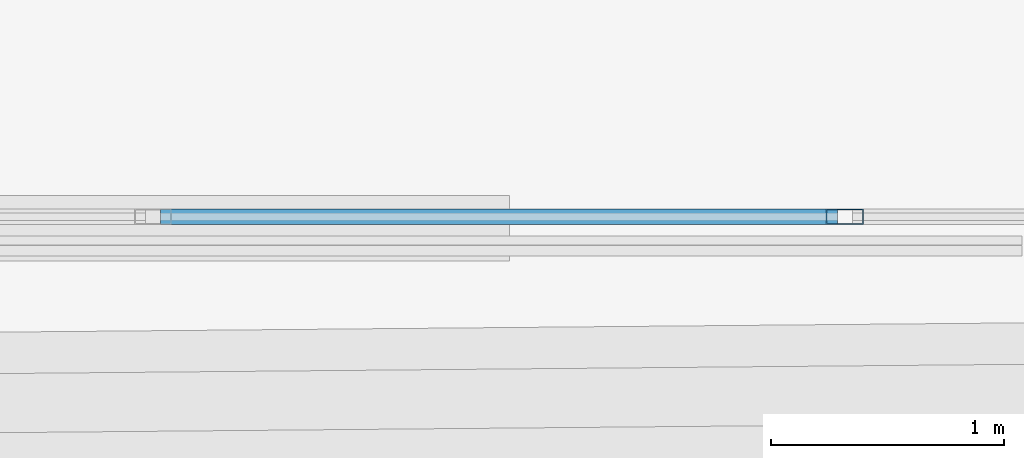
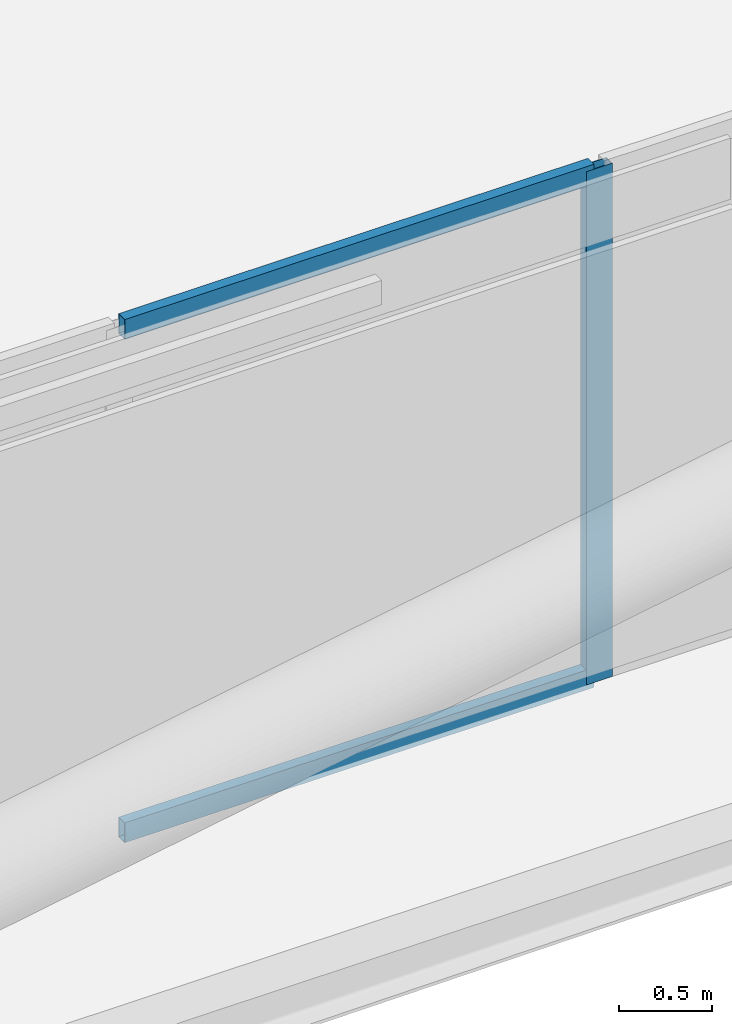
# One storey, part 3 of 50: 3 members, 1 element without a shape of its own.
"""IFC4 building model written with IfcOpenShell, lengths in metres."""

from ifc_helpers import new_model, si_unit, direction, frame, origin, origin_2d, place, context, subcontext, project, spatial, hollow_rectangle, extrude, material, layer, layer_set, material_profile, profile_set, type_object, element, aggregate, save


model = new_model("IFC4")

# Units and contexts
model_context = context("Model", 3, precision=1e-05, world=origin(), true_north=direction((0.0, 1.0)))
body_context = subcontext(model_context, "Body", "Model", "MODEL_VIEW")
ifc_project = project(units=[si_unit("LENGTHUNIT", "METRE"), si_unit("AREAUNIT", "SQUARE_METRE"), si_unit("VOLUMEUNIT", "CUBIC_METRE"), si_unit("PLANEANGLEUNIT", "RADIAN"), si_unit("MASSUNIT", "GRAM", prefix="KILO")], contexts=[model_context])

# Site, building, storey
site_placement = place(None, origin())
site = spatial("IfcSite", under=ifc_project, at=site_placement, CompositionType="ELEMENT")
building_placement = place(site_placement, origin())
building = spatial("IfcBuilding", under=site, at=building_placement, Name="Caelvoria Tower", CompositionType="ELEMENT")
storey_placement = place(building_placement, frame((0.0, 0.0, 71.199951171875)))
storey = spatial("IfcBuildingStorey", under=building, at=storey_placement, Name="L18", CompositionType="ELEMENT", Elevation=71.199951171875)

# Curtain wall, members
ifc_material_1 = material(Name="Anodised Bronze Aluminium and Low-E Glass", Category="aluminium")
ifc_layer = layer(ifc_material_1, 0.18505859375, Name="Anodised Bronze Aluminium and Low-E Glass")
ifc_layer_set = layer_set([ifc_layer], Name="CW System 2 Lower Tower Bronze Unitised Facade - Anodised Bronze Aluminium and Low-E Glass")
curtain_wall_type = type_object("IfcCurtainWallType", Name="CW System 2 Lower Tower Bronze Unitised Facade", PredefinedType="NOTDEFINED", material=ifc_layer_set)
curtain_wall_placement = place(storey_placement, origin())
curtain_wall = element("IfcCurtainWall", 1, at=curtain_wall_placement, inside=storey, type_object=curtain_wall_type, Name="CW-02 Curtain Wall L18-E0", PredefinedType="NOTDEFINED")
ifc_material_2 = material(Name="Anodised Bronze Architectural Aluminium", Category="aluminium")
ifc_material_profile_1 = material_profile(ifc_material_2, hollow_rectangle(XDim=0.06494140625, YDim=0.159912109375, WallThickness=0.00390625, at=origin_2d()), Name="Anodised Bronze Architectural Aluminium")
ifc_profile_set_1 = profile_set([ifc_material_profile_1], Name="CW_MULL_65X160 - Anodised Bronze Architectural Aluminium")
member_type_1 = type_object("IfcMemberType", Name="Curtain Wall Mullion 65x160 Bronze Aluminium", PredefinedType="MULLION", material=ifc_profile_set_1)
member_1_placement = place(storey_placement, frame((34.1142578125, 10.179931640625, 0.0), z_axis=(0.0, 0.0, 1.0), x_axis=(0.0, 1.0, 0.0)))
member_1 = element("IfcMember", 2, at=member_1_placement, type_object=member_type_1, Name="CW-02 mullion 4", PredefinedType="MULLION", context=body_context, shape_type="SweptSolid", body=[
    extrude(hollow_rectangle(XDim=0.06494140625, YDim=0.159912109375, WallThickness=0.00390625, at=origin_2d()), origin(), (0.0, 0.0, 1.0), 3.360107421875),
])
ifc_material_profile_2 = material_profile(ifc_material_2, hollow_rectangle(XDim=0.06494140625, YDim=0.1298828125, WallThickness=0.00341796875, at=origin_2d()), Name="Anodised Bronze Architectural Aluminium")
ifc_profile_set_2 = profile_set([ifc_material_profile_2], Name="CW_TRAN_65X130 - Anodised Bronze Architectural Aluminium")
member_type_2 = type_object("IfcMemberType", Name="Curtain Wall Transom 65x130 Bronze Aluminium", PredefinedType="USERDEFINED", material=ifc_profile_set_2)
member_2_placement = place(storey_placement, frame((31.17529296875, 10.179931640625, 0.032470703125), z_axis=(1.0, 0.0, 0.0), x_axis=(0.0, 1.0, 0.0)))
member_2 = element("IfcMember", 3, at=member_2_placement, type_object=member_type_2, Name="CW-02 transom 3.1", ObjectType="TRANSOM", PredefinedType="USERDEFINED", context=body_context, shape_type="SweptSolid", body=[
    extrude(hollow_rectangle(XDim=0.06494140625, YDim=0.1298828125, WallThickness=0.00341796875, at=origin_2d()), origin(), (0.0, 0.0, 1.0), 2.906494140625),
])
member_3_placement = place(storey_placement, frame((31.17529296875, 10.179931640625, 3.32763671875), z_axis=(1.0, 0.0, 0.0), x_axis=(0.0, 1.0, 0.0)))
member_3 = element("IfcMember", 4, at=member_3_placement, type_object=member_type_2, Name="CW-02 transom 3.2", ObjectType="TRANSOM", PredefinedType="USERDEFINED", context=body_context, shape_type="SweptSolid", body=[
    extrude(hollow_rectangle(XDim=0.06494140625, YDim=0.1298828125, WallThickness=0.00341796875, at=origin_2d()), origin(), (0.0, 0.0, 1.0), 2.906494140625),
])
aggregate(curtain_wall, [member_1, member_2, member_3])

save(model, "model.ifc")
